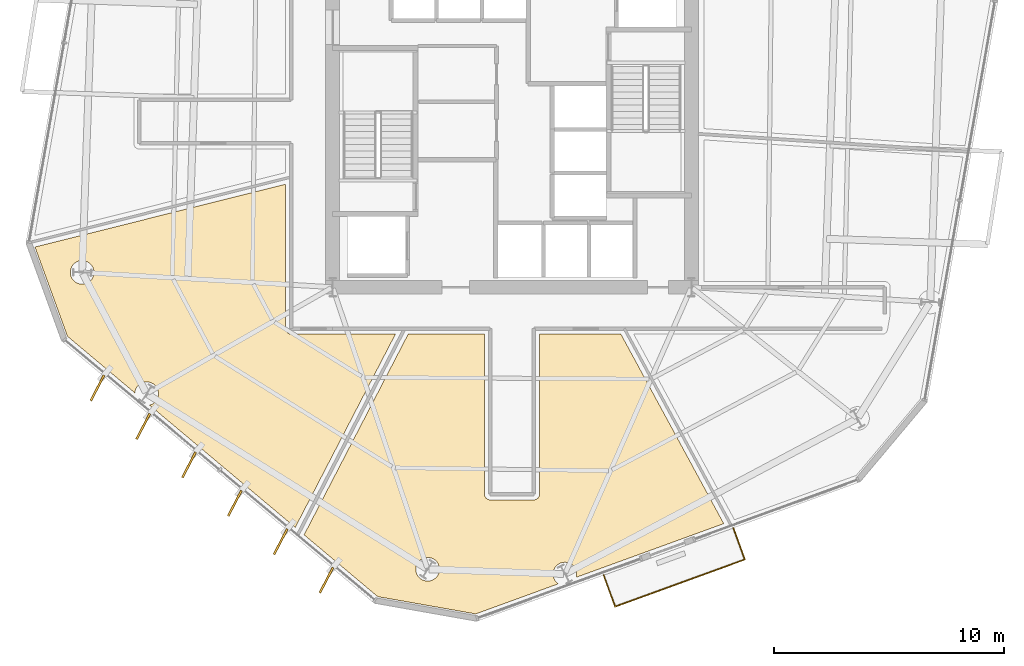
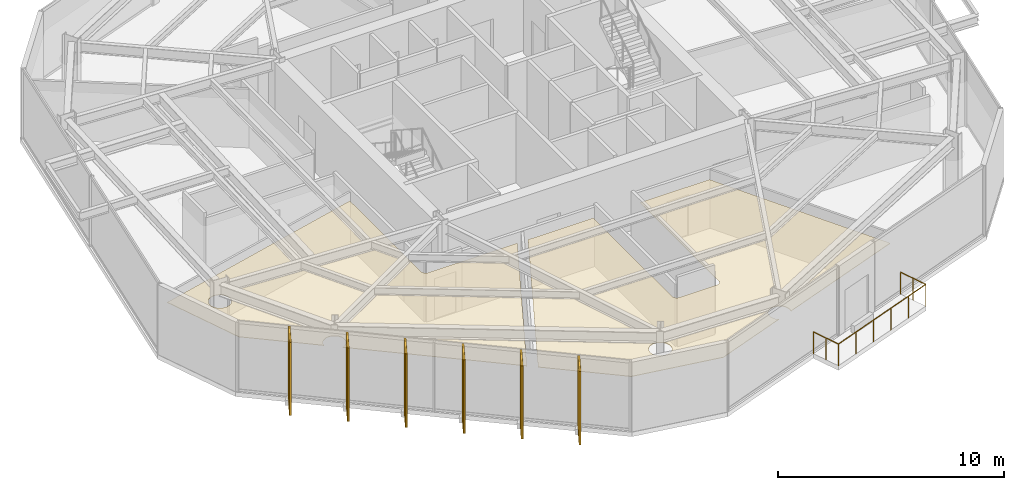
# One storey, part 10 of 13: 8 coverings, 6 shading devices, 1 railing.
"""IFC4 building model written with IfcOpenShell, lengths in metres."""

from ifc_helpers import new_model, si_unit, direction, frame, origin, origin_2d, place, context, subcontext, project, spatial, polyline, rectangle, circle, outline, extrude, material, layer, layer_set, type_object, element, save


model = new_model("IFC4")

# Units and contexts
model_context = context("Model", 3, precision=1e-05, world=origin(), true_north=direction((0.0, 1.0)))
body_context = subcontext(model_context, "Body", "Model", "MODEL_VIEW")
ifc_project = project(units=[si_unit("LENGTHUNIT", "METRE"), si_unit("AREAUNIT", "SQUARE_METRE"), si_unit("VOLUMEUNIT", "CUBIC_METRE"), si_unit("PLANEANGLEUNIT", "RADIAN"), si_unit("MASSUNIT", "GRAM", prefix="KILO")], contexts=[model_context])

# Site, building, storey
site_placement = place(None, origin())
site = spatial("IfcSite", under=ifc_project, at=site_placement, CompositionType="ELEMENT")
building_placement = place(site_placement, origin())
building = spatial("IfcBuilding", under=site, at=building_placement, Name="Kranzbogen Civic Tower", CompositionType="ELEMENT")
storey_placement = place(building_placement, frame((0.0, 0.0, 102.39990234375)))
storey = spatial("IfcBuildingStorey", under=building, at=storey_placement, Name="L24", CompositionType="ELEMENT", Elevation=102.39990234375)

# Coverings
ifc_material_1 = material(Name="Pale Anodised Aluminium", Category="aluminium")
ifc_layer_1 = layer(ifc_material_1, 0.02490234375, Name="Pale Anodised Aluminium")
ifc_layer_set_1 = layer_set([ifc_layer_1], Name="Pale Anodised Aluminium")
covering_type_1 = type_object("IfcCoveringType", Name="Anodised Aluminium Vertical Fin Cladding 25 mm", PredefinedType="CLADDING", material=ifc_layer_set_1)
for number, where, z_axis, x_axis, name in (
    (1, (6.972900390625, 13.41796875, -0.139892578125), (0.0, 0.0, 1.0), (-0.461856978605, -0.886954413323, 0.0), "L24 vertical fin pale-metal cladding F4-1"),
    (2, (8.964111328125, 11.7470703125, -0.139892578125), (0.0, 0.0, 1.0), (-0.461856978605, -0.886954413323, 0.0), "L24 vertical fin pale-metal cladding F4-2"),
    (3, (10.9560546875, 10.075927734375, -0.139892578125), (0.0, 0.0, 1.0), (-0.461856978605, -0.886954413323, 0.0), "L24 vertical fin pale-metal cladding F4-3"),
    (4, (12.947998046875, 8.404052734375, -0.139892578125), (0.0, 0.0, 1.0), (-0.461856978605, -0.886954413323, 0.0), "L24 vertical fin pale-metal cladding F4-4"),
    (5, (14.93994140625, 6.73291015625, -0.139892578125), (0.0, 0.0, 1.0), (-0.461856978605, -0.886954413323, 0.0), "L24 vertical fin pale-metal cladding F4-5"),
    (6, (16.930908203125, 5.06201171875, -0.139892578125), (0.0, 0.0, 1.0), (-0.461856978605, -0.886954413323, 0.0), "L24 vertical fin pale-metal cladding F4-6"),
):
    element("IfcCovering", number, at=place(storey_placement, frame(where, z_axis=z_axis, x_axis=x_axis)), inside=storey, type_object=covering_type_1, Name=name, PredefinedType="CLADDING", context=body_context, shape_type="SweptSolid", body=[
        extrude(rectangle(XDim=1.25, YDim=0.10009765625, at=origin_2d()), origin(), (0.0, 0.0, 1.0), 3.9599609375),
    ])

# Shading devices
ifc_material_2 = material(Name="Anodised Bronze Aluminium", Category="aluminium")
shading_device_type = type_object("IfcShadingDeviceType", Name="Anodised Bronze Vertical Facade Fin 1250x80", PredefinedType="USERDEFINED", material=ifc_material_2)
for number, where, z_axis, x_axis, name in (
    (7, (6.972900390625, 13.41796875, -0.139892578125), (0.0, 0.0, 1.0), (-0.461856978605, -0.886954413323, 0.0), "L24 vertical exterior shading fin F4-1"),
    (8, (8.964111328125, 11.7470703125, -0.139892578125), (0.0, 0.0, 1.0), (-0.461856978605, -0.886954413323, 0.0), "L24 vertical exterior shading fin F4-2"),
    (9, (10.9560546875, 10.075927734375, -0.139892578125), (0.0, 0.0, 1.0), (-0.461856978605, -0.886954413323, 0.0), "L24 vertical exterior shading fin F4-3"),
    (10, (12.947998046875, 8.404052734375, -0.139892578125), (0.0, 0.0, 1.0), (-0.461856978605, -0.886954413323, 0.0), "L24 vertical exterior shading fin F4-4"),
    (11, (14.93994140625, 6.73291015625, -0.139892578125), (0.0, 0.0, 1.0), (-0.461856978605, -0.886954413323, 0.0), "L24 vertical exterior shading fin F4-5"),
    (12, (16.930908203125, 5.06201171875, -0.139892578125), (0.0, 0.0, 1.0), (-0.461856978605, -0.886954413323, 0.0), "L24 vertical exterior shading fin F4-6"),
):
    element("IfcShadingDevice", number, at=place(storey_placement, frame(where, z_axis=z_axis, x_axis=x_axis)), inside=storey, type_object=shading_device_type, Name=name, ObjectType="FIN", PredefinedType="USERDEFINED", context=body_context, shape_type="SweptSolid", body=[
        extrude(rectangle(XDim=1.25, YDim=0.080078125, at=origin_2d()), origin(), (0.0, 0.0, 1.0), 3.9599609375),
    ])

# Railing
railing_type = type_object("IfcRailingType", Name="Cantilevered Balcony Glass and Bronze Balustrade 1200", PredefinedType="BALUSTRADE", material=ifc_material_2)
railing_placement = place(storey_placement, frame((28.987060546875, 5.27392578125, 0.0)))
element("IfcRailing", 13, at=railing_placement, inside=storey, type_object=railing_type, Name="L24 exterior terrace balustrade L24-TB1", PredefinedType="BALUSTRADE", context=body_context, shape_type="SweptSolid", body=[
    extrude(circle(Radius=0.02392578125, at=origin_2d()), frame((0.0, 0.0, 1.17578125), z_axis=(0.341864695336, -0.939749184667, 0.0), x_axis=(0.939749184667, 0.341864695336, 0.0)), (0.0, 0.0, 1.0), 1.450439453125),
    extrude(circle(Radius=0.02392578125, at=origin_2d()), frame((0.495849609375, -1.363037109375, 1.17578125), z_axis=(0.939699533273, 0.342001150825, 0.0), x_axis=(-0.342001150825, 0.939699533273, 0.0)), (0.0, 0.0, 1.0), 6.0),
    extrude(circle(Radius=0.02392578125, at=origin_2d()), frame((6.134033203125, 0.68896484375, 1.17578125), z_axis=(-0.342013333644, 0.939695099279, 0.0), x_axis=(-0.939695099279, -0.342013333644, 0.0)), (0.0, 0.0, 1.0), 1.450439453125),
    extrude(circle(Radius=0.02099609375, at=origin_2d()), origin(), (0.0, 0.0, 1.0), 1.15185546875),
    extrude(circle(Radius=0.02099609375, at=origin_2d()), frame((0.248046875, -0.681640625, 0.0)), (0.0, 0.0, 1.0), 1.15185546875),
    extrude(circle(Radius=0.02099609375, at=origin_2d()), frame((0.495849609375, -1.363037109375, 0.0)), (0.0, 0.0, 1.0), 1.15185546875),
    extrude(circle(Radius=0.02099609375, at=origin_2d()), frame((1.62353515625, -0.95263671875, 0.0)), (0.0, 0.0, 1.0), 1.15185546875),
    extrude(circle(Radius=0.02099609375, at=origin_2d()), frame((2.751220703125, -0.542236328125, 0.0)), (0.0, 0.0, 1.0), 1.15185546875),
    extrude(circle(Radius=0.02099609375, at=origin_2d()), frame((3.878662109375, -0.1318359375, 0.0)), (0.0, 0.0, 1.0), 1.15185546875),
    extrude(circle(Radius=0.02099609375, at=origin_2d()), frame((5.00634765625, 0.278564453125, 0.0)), (0.0, 0.0, 1.0), 1.15185546875),
    extrude(circle(Radius=0.02099609375, at=origin_2d()), frame((6.134033203125, 0.68896484375, 0.0)), (0.0, 0.0, 1.0), 1.15185546875),
    extrude(circle(Radius=0.02099609375, at=origin_2d()), frame((5.885986328125, 1.37060546875, 0.0)), (0.0, 0.0, 1.0), 1.15185546875),
    extrude(circle(Radius=0.02099609375, at=origin_2d()), frame((5.637939453125, 2.052001953125, 0.0)), (0.0, 0.0, 1.0), 1.15185546875),
])

# Coverings
ifc_material_3 = material(Name="Perforated Acoustic Gypsum Ceiling")
ifc_layer_2 = layer(ifc_material_3, 0.02490234375, Name="Perforated Acoustic Gypsum Ceiling")
ifc_layer_set_2 = layer_set([ifc_layer_2], Name="Perforated Acoustic Gypsum Ceiling")
covering_type_2 = type_object("IfcCoveringType", Name="Perforated Acoustic Mineral Ceiling Tile 25 mm", PredefinedType="CEILING", material=ifc_layer_set_2)
covering_1_placement = place(storey_placement, frame((0.0, 0.0, 2.75)))
element("IfcCovering", 14, at=covering_1_placement, inside=storey, type_object=covering_type_2, Name="L24 Executive Briefing Conference Room acoustic ceiling", PredefinedType="CEILING", context=body_context, shape_type="SweptSolid", body=[
    extrude(outline(polyline([(4.259033203125, 19.547119140625), (15.155029296875, 22.279052734375), (15.155029296875, 16.0), (15.155029296875, 15.990966796875), (15.156005859375, 15.985107421875), (15.156982421875, 15.967041015625), (15.157958984375, 15.9609375), (15.162109375, 15.944091796875), (15.1630859375, 15.93701171875), (15.16796875, 15.919921875), (15.169921875, 15.9140625), (15.177001953125, 15.89794921875), (15.179931640625, 15.89208984375), (15.18798828125, 15.876953125), (15.19189453125, 15.87109375), (15.200927734375, 15.85693359375), (15.205078125, 15.85205078125), (15.216064453125, 15.837890625), (15.220947265625, 15.8330078125), (15.23291015625, 15.821044921875), (15.238037109375, 15.81591796875), (15.251953125, 15.804931640625), (15.257080078125, 15.801025390625), (15.27099609375, 15.7919921875), (15.277099609375, 15.7880859375), (15.2919921875, 15.780029296875), (15.298095703125, 15.777099609375), (15.31396484375, 15.77001953125), (15.320068359375, 15.76806640625), (15.3369140625, 15.762939453125), (15.343994140625, 15.761962890625), (15.361083984375, 15.758056640625), (15.366943359375, 15.757080078125), (15.385009765625, 15.756103515625), (15.39111328125, 15.7548828125), (15.39990234375, 15.7548828125), (19.929931640625, 15.7548828125), (15.574951171875, 7.35498046875), (9.238037109375, 12.673095703125), (9.262939453125, 12.678955078125), (9.31103515625, 12.696044921875), (9.35595703125, 12.717041015625), (9.39990234375, 12.742919921875), (9.43994140625, 12.77294921875), (9.47802734375, 12.806884765625), (9.511962890625, 12.844970703125), (9.5419921875, 12.885009765625), (9.568115234375, 12.928955078125), (9.589111328125, 12.97412109375), (9.60595703125, 13.02197265625), (9.617919921875, 13.071044921875), (9.6259765625, 13.12109375), (9.6279296875, 13.1708984375), (9.6259765625, 13.220947265625), (9.617919921875, 13.27099609375), (9.60595703125, 13.320068359375), (9.589111328125, 13.367919921875), (9.568115234375, 13.4130859375), (9.5419921875, 13.45703125), (9.511962890625, 13.4970703125), (9.47802734375, 13.534912109375), (9.43994140625, 13.569091796875), (9.39990234375, 13.59912109375), (9.35595703125, 13.625), (9.31103515625, 13.64599609375), (9.262939453125, 13.6630859375), (9.214111328125, 13.675048828125), (9.1640625, 13.68310546875), (9.114013671875, 13.68505859375), (9.06396484375, 13.68310546875), (9.013916015625, 13.675048828125), (8.965087890625, 13.6630859375), (8.9169921875, 13.64599609375), (8.8720703125, 13.625), (8.827880859375, 13.59912109375), (8.7880859375, 13.569091796875), (8.75, 13.534912109375), (8.716064453125, 13.4970703125), (8.68603515625, 13.45703125), (8.659912109375, 13.4130859375), (8.638916015625, 13.367919921875), (8.6220703125, 13.320068359375), (8.610107421875, 13.27099609375), (8.60205078125, 13.220947265625), (8.60107421875, 13.20703125), (5.673095703125, 15.6640625), (4.259033203125, 19.547119140625)]), holes=[polyline([(6.784912109375, 18.2470703125), (6.763916015625, 18.201904296875), (6.738037109375, 18.157958984375), (6.7080078125, 18.117919921875), (6.674072265625, 18.080078125), (6.635986328125, 18.0458984375), (6.595947265625, 18.01611328125), (6.552001953125, 17.989990234375), (6.507080078125, 17.968994140625), (6.458984375, 17.951904296875), (6.409912109375, 17.93994140625), (6.360107421875, 17.931884765625), (6.31005859375, 17.929931640625), (6.260009765625, 17.931884765625), (6.2099609375, 17.93994140625), (6.160888671875, 17.951904296875), (6.113037109375, 17.968994140625), (6.068115234375, 17.989990234375), (6.02392578125, 18.01611328125), (5.98388671875, 18.0458984375), (5.946044921875, 18.080078125), (5.912109375, 18.117919921875), (5.882080078125, 18.157958984375), (5.85595703125, 18.201904296875), (5.8349609375, 18.2470703125), (5.818115234375, 18.294921875), (5.805908203125, 18.343994140625), (5.798095703125, 18.39404296875), (5.7958984375, 18.444091796875), (5.798095703125, 18.493896484375), (5.805908203125, 18.5439453125), (5.818115234375, 18.593017578125), (5.8349609375, 18.64111328125), (5.85595703125, 18.68603515625), (5.882080078125, 18.72998046875), (5.912109375, 18.77001953125), (5.946044921875, 18.80810546875), (5.98388671875, 18.842041015625), (6.02392578125, 18.8720703125), (6.068115234375, 18.89794921875), (6.113037109375, 18.9189453125), (6.160888671875, 18.93603515625), (6.2099609375, 18.947998046875), (6.260009765625, 18.9560546875), (6.31005859375, 18.9580078125), (6.360107421875, 18.9560546875), (6.409912109375, 18.947998046875), (6.458984375, 18.93603515625), (6.507080078125, 18.9189453125), (6.552001953125, 18.89794921875), (6.595947265625, 18.8720703125), (6.635986328125, 18.842041015625), (6.674072265625, 18.80810546875), (6.7080078125, 18.77001953125), (6.738037109375, 18.72998046875), (6.763916015625, 18.68603515625), (6.784912109375, 18.64111328125), (6.802001953125, 18.593017578125), (6.81396484375, 18.5439453125), (6.822021484375, 18.493896484375), (6.823974609375, 18.444091796875), (6.822021484375, 18.39404296875), (6.81396484375, 18.343994140625), (6.802001953125, 18.294921875), (6.784912109375, 18.2470703125)])]), origin(), (0.0, 0.0, 1.0), 0.025146484375),
])
covering_2_placement = place(storey_placement, frame((0.0, 0.0, 2.75)))
element("IfcCovering", 15, at=covering_2_placement, inside=storey, type_object=covering_type_2, Name="L24 Parliamentary Review Boardroom acoustic ceiling", PredefinedType="CEILING", context=body_context, shape_type="SweptSolid", body=[
    extrude(outline(polyline([(19.162109375, 4.345947265625), (15.9599609375, 7.032958984375), (20.48193359375, 15.7548828125), (23.804931640625, 15.7548828125), (23.804931640625, 8.800048828125), (23.804931640625, 8.791015625), (23.805908203125, 8.784912109375), (23.806884765625, 8.76708984375), (23.80810546875, 8.760986328125), (23.81201171875, 8.743896484375), (23.81298828125, 8.737060546875), (23.818115234375, 8.719970703125), (23.820068359375, 8.714111328125), (23.826904296875, 8.697998046875), (23.830078125, 8.69189453125), (23.837890625, 8.677001953125), (23.842041015625, 8.6708984375), (23.85107421875, 8.656982421875), (23.85498046875, 8.652099609375), (23.865966796875, 8.637939453125), (23.87109375, 8.633056640625), (23.883056640625, 8.62109375), (23.887939453125, 8.615966796875), (23.902099609375, 8.60498046875), (23.906982421875, 8.60107421875), (23.9208984375, 8.592041015625), (23.927001953125, 8.587890625), (23.94189453125, 8.580078125), (23.947998046875, 8.576904296875), (23.964111328125, 8.570068359375), (23.969970703125, 8.568115234375), (23.987060546875, 8.56298828125), (23.993896484375, 8.56201171875), (24.010986328125, 8.55810546875), (24.01708984375, 8.556884765625), (24.034912109375, 8.555908203125), (24.041015625, 8.554931640625), (24.050048828125, 8.554931640625), (25.949951171875, 8.554931640625), (25.958984375, 8.554931640625), (25.965087890625, 8.555908203125), (25.98291015625, 8.556884765625), (25.989013671875, 8.55810546875), (26.006103515625, 8.56201171875), (26.012939453125, 8.56298828125), (26.030029296875, 8.568115234375), (26.035888671875, 8.570068359375), (26.052001953125, 8.576904296875), (26.05810546875, 8.580078125), (26.072998046875, 8.587890625), (26.0791015625, 8.592041015625), (26.093017578125, 8.60107421875), (26.097900390625, 8.60498046875), (26.112060546875, 8.615966796875), (26.116943359375, 8.62109375), (26.12890625, 8.633056640625), (26.134033203125, 8.637939453125), (26.14501953125, 8.652099609375), (26.14892578125, 8.656982421875), (26.157958984375, 8.6708984375), (26.162109375, 8.677001953125), (26.169921875, 8.69189453125), (26.173095703125, 8.697998046875), (26.179931640625, 8.714111328125), (26.181884765625, 8.719970703125), (26.18701171875, 8.737060546875), (26.18798828125, 8.743896484375), (26.19189453125, 8.760986328125), (26.193115234375, 8.76708984375), (26.194091796875, 8.784912109375), (26.195068359375, 8.791015625), (26.195068359375, 8.800048828125), (26.195068359375, 15.7548828125), (29.738037109375, 15.7548828125), (34.20703125, 7.52001953125), (27.794921875, 5.18603515625), (27.804931640625, 5.22802734375), (27.81298828125, 5.278076171875), (27.81494140625, 5.327880859375), (27.81298828125, 5.3779296875), (27.804931640625, 5.427978515625), (27.79296875, 5.47705078125), (27.77587890625, 5.52490234375), (27.7548828125, 5.570068359375), (27.72900390625, 5.614013671875), (27.698974609375, 5.654052734375), (27.6650390625, 5.69189453125), (27.626953125, 5.72607421875), (27.5869140625, 5.756103515625), (27.54296875, 5.781982421875), (27.498046875, 5.802978515625), (27.449951171875, 5.820068359375), (27.40087890625, 5.83203125), (27.35107421875, 5.840087890625), (27.301025390625, 5.842041015625), (27.2509765625, 5.840087890625), (27.200927734375, 5.83203125), (27.152099609375, 5.820068359375), (27.10400390625, 5.802978515625), (27.05908203125, 5.781982421875), (27.014892578125, 5.756103515625), (26.97509765625, 5.72607421875), (26.93701171875, 5.69189453125), (26.903076171875, 5.654052734375), (26.873046875, 5.614013671875), (26.846923828125, 5.570068359375), (26.825927734375, 5.52490234375), (26.80908203125, 5.47705078125), (26.797119140625, 5.427978515625), (26.7890625, 5.3779296875), (26.787109375, 5.327880859375), (26.7890625, 5.278076171875), (26.797119140625, 5.22802734375), (26.80908203125, 5.178955078125), (26.825927734375, 5.131103515625), (26.846923828125, 5.0859375), (26.873046875, 5.0419921875), (26.903076171875, 5.001953125), (26.93701171875, 4.964111328125), (26.97509765625, 4.929931640625), (27.013916015625, 4.902099609375), (23.422119140625, 3.593994140625), (19.162109375, 4.345947265625)]), holes=[polyline([(21.806884765625, 5.339111328125), (21.785888671875, 5.2939453125), (21.760009765625, 5.25), (21.72998046875, 5.2099609375), (21.696044921875, 5.172119140625), (21.657958984375, 5.137939453125), (21.617919921875, 5.10791015625), (21.573974609375, 5.08203125), (21.529052734375, 5.06103515625), (21.48095703125, 5.0439453125), (21.431884765625, 5.031982421875), (21.382080078125, 5.02392578125), (21.33203125, 5.02197265625), (21.281982421875, 5.02392578125), (21.23193359375, 5.031982421875), (21.18310546875, 5.0439453125), (21.135009765625, 5.06103515625), (21.090087890625, 5.08203125), (21.0458984375, 5.10791015625), (21.006103515625, 5.137939453125), (20.968017578125, 5.172119140625), (20.93408203125, 5.2099609375), (20.904052734375, 5.25), (20.8779296875, 5.2939453125), (20.85693359375, 5.339111328125), (20.840087890625, 5.386962890625), (20.827880859375, 5.43603515625), (20.820068359375, 5.486083984375), (20.818115234375, 5.535888671875), (20.820068359375, 5.5859375), (20.827880859375, 5.635986328125), (20.840087890625, 5.68505859375), (20.85693359375, 5.73291015625), (20.8779296875, 5.778076171875), (20.904052734375, 5.822021484375), (20.93408203125, 5.862060546875), (20.968017578125, 5.89990234375), (21.006103515625, 5.93408203125), (21.0458984375, 5.964111328125), (21.090087890625, 5.989990234375), (21.135009765625, 6.010986328125), (21.18310546875, 6.028076171875), (21.23193359375, 6.0400390625), (21.281982421875, 6.048095703125), (21.33203125, 6.050048828125), (21.382080078125, 6.048095703125), (21.431884765625, 6.0400390625), (21.48095703125, 6.028076171875), (21.529052734375, 6.010986328125), (21.573974609375, 5.989990234375), (21.617919921875, 5.964111328125), (21.657958984375, 5.93408203125), (21.696044921875, 5.89990234375), (21.72998046875, 5.862060546875), (21.760009765625, 5.822021484375), (21.785888671875, 5.778076171875), (21.806884765625, 5.73291015625), (21.823974609375, 5.68505859375), (21.8359375, 5.635986328125), (21.843994140625, 5.5859375), (21.845947265625, 5.535888671875), (21.843994140625, 5.486083984375), (21.8359375, 5.43603515625), (21.823974609375, 5.386962890625), (21.806884765625, 5.339111328125)])]), origin(), (0.0, 0.0, 1.0), 0.025146484375),
])

save(model, "model.ifc")
